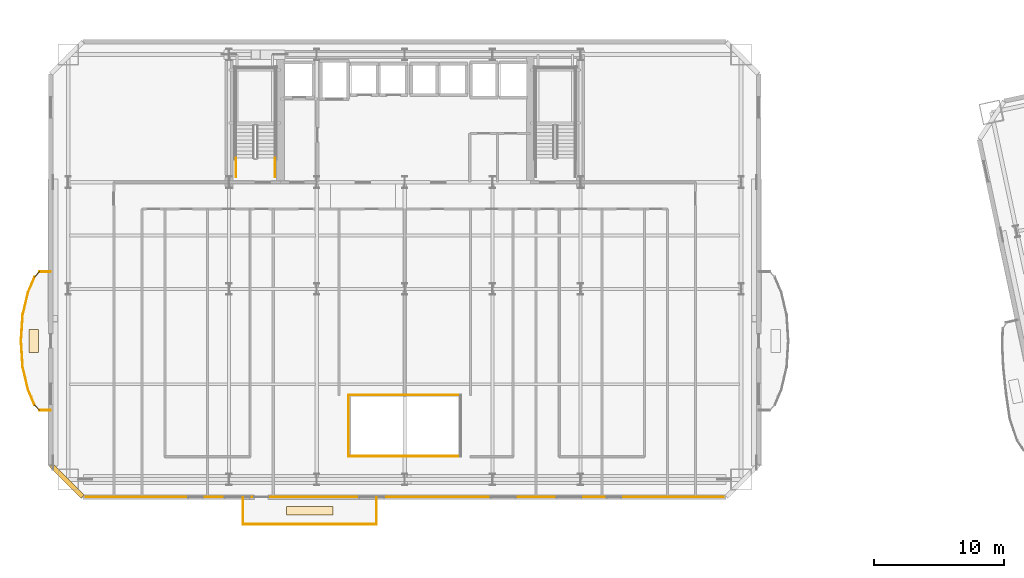
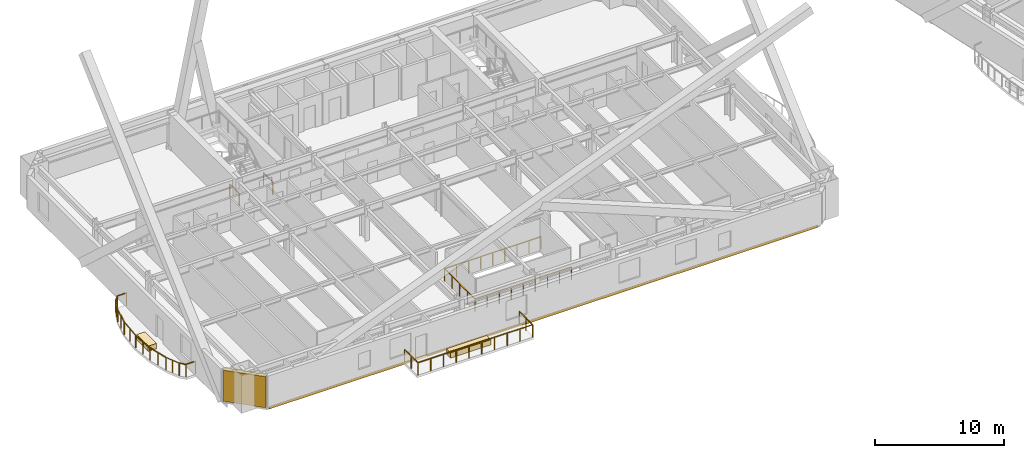
# One storey, part 13 of 20: 18 railings, 3 coverings, 1 shading device.
"""IFC4 building model written with IfcOpenShell, lengths in metres."""

import ifcopenshell
import ifcopenshell.guid

model = None  # the IFC model being written
_history = None  # IfcOwnerHistory: only IFC2X3 demands one
_inside = {}  # id of a spatial element -> (the spatial element, [elements in it])
_under = {}  # id of a project, library or spatial element -> (it, [spatial elements below it])
_declared = {}  # id of a project -> (the project, [libraries it declares])
_typed = {}  # id of a type object -> (the type object, [elements of that type])
_made_of = {}  # id of a material, layer set ... -> (it, [elements and type objects made of it])


def new_model(schema):
    """Start an empty IFC model of exactly this schema.

    Asked for "IFC4X3", IfcOpenShell would pick the latest addendum, in which some entities
    have other attributes; the version numbers below select the first issue.
    IFC2X3 requires an IfcOwnerHistory on every rooted entity: one is made here for all.
    """
    global model, _history
    if schema == "IFC4X3":
        model = ifcopenshell.file(schema_version=(4, 3, 0, 0))
    else:
        model = ifcopenshell.file(schema=schema)
    _inside.clear()
    _under.clear()
    _declared.clear()
    _typed.clear()
    _made_of.clear()
    _history = None
    if model.schema == "IFC2X3":
        org = make("IfcOrganization", Name="unknown")
        user = make(
            "IfcPersonAndOrganization",
            ThePerson=make("IfcPerson", FamilyName="unknown"),
            TheOrganization=org,
        )
        app = make(
            "IfcApplication",
            ApplicationDeveloper=org,
            Version="unknown",
            ApplicationFullName="unknown",
            ApplicationIdentifier="unknown",
        )
        _history = make(
            "IfcOwnerHistory",
            OwningUser=user,
            OwningApplication=app,
            ChangeAction="ADDED",
            CreationDate=0,
        )
    return model


def make(cls, **values):
    """One entity of the class cls with the attributes given. An attribute that is None is left unset."""
    return model.create_entity(
        cls, **{name: value for name, value in values.items() if value is not None}
    )


def rooted(cls, **values):
    """An entity with a GlobalId (a new one), such as an element, a storey or a relation."""
    return make(cls, GlobalId=ifcopenshell.guid.new(), OwnerHistory=_history, **values)


def si_unit(unit_type, name, prefix=None):
    """IfcSIUnit, for example si_unit("LENGTHUNIT", "METRE", prefix="MILLI")."""
    return make("IfcSIUnit", UnitType=unit_type, Prefix=prefix, Name=name)


def assignment(units):
    """IfcUnitAssignment: the units of a project."""
    return None if units is None else make("IfcUnitAssignment", Units=units)


def point(xyz):
    """IfcCartesianPoint."""
    return None if xyz is None else make("IfcCartesianPoint", Coordinates=xyz)


def direction(xyz):
    """IfcDirection."""
    return None if xyz is None else make("IfcDirection", DirectionRatios=xyz)


def frame(location, z_axis=None, x_axis=None):
    """IfcAxis2Placement3D, a coordinate frame: its origin and axes. An axis left out is left unset."""
    return make(
        "IfcAxis2Placement3D",
        Location=point(location),
        Axis=direction(z_axis),
        RefDirection=direction(x_axis),
    )


def frame_2d(location, x_axis=None):
    """IfcAxis2Placement2D, a coordinate frame in the plane: its origin and x axis."""
    return make(
        "IfcAxis2Placement2D", Location=point(location), RefDirection=direction(x_axis)
    )


def origin():
    """The frame at (0, 0, 0) with its axes left unset."""
    return frame((0.0, 0.0, 0.0))


def origin_2d():
    """The frame at (0, 0) in the plane with its x axis left unset."""
    return frame_2d((0.0, 0.0))


def place(relative_to, where):
    """IfcLocalPlacement: puts the frame where relative to a parent placement (None: the world)."""
    return make(
        "IfcLocalPlacement", PlacementRelTo=relative_to, RelativePlacement=where
    )


def context(
    kind, dimensions, precision=None, world=None, true_north=None, identifier=None
):
    """IfcGeometricRepresentationContext, for example the 3D "Model" context."""
    return make(
        "IfcGeometricRepresentationContext",
        ContextIdentifier=identifier,
        ContextType=kind,
        CoordinateSpaceDimension=dimensions,
        Precision=precision,
        WorldCoordinateSystem=world,
        TrueNorth=true_north,
    )


def subcontext(parent, identifier, kind, view, scale=None):
    """IfcGeometricRepresentationSubContext, for example "Body" below "Model"."""
    return make(
        "IfcGeometricRepresentationSubContext",
        ContextIdentifier=identifier,
        ContextType=kind,
        ParentContext=parent,
        TargetScale=scale,
        TargetView=view,
    )


def project(units=None, contexts=None):
    """IfcProject with its units and contexts."""
    return rooted(
        "IfcProject",
        Name="project",
        RepresentationContexts=contexts,
        UnitsInContext=assignment(units),
    )


def spatial(cls, under=None, at=None, **own):
    """A site, building, storey or space (cls), placed at a placement, below another one or the project."""
    s = rooted(cls, ObjectPlacement=at, **own)
    if under is not None:
        _under.setdefault(under.id(), (under, []))[1].append(s)
    return s


def profile(cls, at=None, kind="AREA", **sizes):
    """A parametric profile (cls). Its sizes go by their IFC names, for example OverallWidth=200.0."""
    return make(cls, ProfileType=kind, Position=at, **sizes)


def rectangle(**sizes):
    """IfcRectangleProfileDef."""
    return profile("IfcRectangleProfileDef", **sizes)


def extrude(swept, where, along, depth):
    """IfcExtrudedAreaSolid: the profile swept, set in the frame where, extruded along a direction by depth."""
    return make(
        "IfcExtrudedAreaSolid",
        SweptArea=swept,
        Position=where,
        ExtrudedDirection=direction(along),
        Depth=depth,
    )


def shape(context_of_items, identifier, shape_type, items):
    """IfcShapeRepresentation: the items that make up one representation, for example the "Body"."""
    return make(
        "IfcShapeRepresentation",
        ContextOfItems=context_of_items,
        RepresentationIdentifier=identifier,
        RepresentationType=shape_type,
        Items=items,
    )


def material(Name=None, Category=None):
    """IfcMaterial."""
    return make("IfcMaterial", Name=Name, Category=Category)


def layer(
    of_material, thickness, ventilated=None, Name=None, Category=None, Priority=None
):
    """IfcMaterialLayer: one layer of a wall or slab, of a material (None: an air gap)."""
    return make(
        "IfcMaterialLayer",
        Material=of_material,
        LayerThickness=thickness,
        IsVentilated=ventilated,
        Name=Name,
        Category=Category,
        Priority=Priority,
    )


def layer_set(layers, Name=None):
    """IfcMaterialLayerSet."""
    return make("IfcMaterialLayerSet", MaterialLayers=layers, LayerSetName=Name)


def made_of(thing, what):
    """Note that an element or type object is made of a material, layer set ...; save() writes the relation."""
    if what is not None:
        _made_of.setdefault(what.id(), (what, []))[1].append(thing)
    return thing


def type_object(cls, material=None, **own):
    """A type object (cls), such as IfcWallType, which elements share."""
    return made_of(rooted(cls, **own), material)


def element(
    cls,
    number,
    at=None,
    inside=None,
    cuts=None,
    type_object=None,
    material=None,
    context=None,
    identifier="Body",
    shape_type=None,
    held_by="IfcProductDefinitionShape",
    body=None,
    shapes=None,
    **own,
):
    """One element of the class cls, such as IfcWall. Its Tag is "e" and its number.

    at: its placement. inside: the storey or other place that contains it. cuts: it is an
    opening in that element (IfcRelVoidsElement). A single representation is given by context,
    identifier, shape_type and body (its items); several are given by shapes. held_by: the class
    of the entity that holds the representations. save() writes the other relations.
    """
    e = rooted(cls, Tag="e%d" % number, ObjectPlacement=at, **own)
    if body is not None:
        shapes = [shape(context, identifier, shape_type, body)]
    if shapes is not None:
        e.Representation = make(held_by, Representations=shapes)
    if inside is not None:
        _inside.setdefault(inside.id(), (inside, []))[1].append(e)
    if cuts is not None:
        rooted(
            "IfcRelVoidsElement", RelatingBuildingElement=cuts, RelatedOpeningElement=e
        )
    if type_object is not None:
        _typed.setdefault(type_object.id(), (type_object, []))[1].append(e)
    return made_of(e, material)


def aggregate(whole, parts):
    """IfcRelAggregates: a whole, such as a stair, and the parts it consists of."""
    return rooted("IfcRelAggregates", RelatingObject=whole, RelatedObjects=parts)


def save(model, path):
    """Write the relations noted so far, then the file.

    IfcRelAggregates (storeys below a building ...), IfcRelContainedInSpatialStructure (elements
    in a storey), IfcRelDefinesByType, IfcRelAssociatesMaterial and IfcRelDeclares: one each for
    every whole, place, type object, material and project.
    """
    for whole, parts in _under.values():
        aggregate(whole, parts)
    for where, things in _inside.values():
        rooted(
            "IfcRelContainedInSpatialStructure",
            RelatedElements=things,
            RelatingStructure=where,
        )
    for kind, things in _typed.values():
        rooted("IfcRelDefinesByType", RelatedObjects=things, RelatingType=kind)
    for what, things in _made_of.values():
        rooted("IfcRelAssociatesMaterial", RelatedObjects=things, RelatingMaterial=what)
    for by, libraries in _declared.values():
        rooted("IfcRelDeclares", RelatingContext=by, RelatedDefinitions=libraries)
    model.write(path)


model = new_model("IFC4")

# Units and contexts
model_context = context("Model", 3, precision=1e-05, world=origin(), true_north=direction((0.0, 1.0)))
body_context = subcontext(model_context, "Body", "Model", "MODEL_VIEW")
ifc_project = project(units=[si_unit("LENGTHUNIT", "METRE"), si_unit("AREAUNIT", "SQUARE_METRE"), si_unit("VOLUMEUNIT", "CUBIC_METRE"), si_unit("PLANEANGLEUNIT", "RADIAN"), si_unit("MASSUNIT", "GRAM", prefix="KILO")], contexts=[model_context])

# Site, building, storey
site_placement = place(None, origin())
site = spatial("IfcSite", under=ifc_project, at=site_placement, CompositionType="ELEMENT")
building_placement = place(site_placement, origin())
building = spatial("IfcBuilding", under=site, at=building_placement, Name="Haevon Station Towers", CompositionType="ELEMENT")
storey_placement = place(building_placement, frame((0.0, 0.0, 30.60009765625)))
storey = spatial("IfcBuildingStorey", under=building, at=storey_placement, Name="L06", CompositionType="ELEMENT", Elevation=30.60009765625)

# Railings
ifc_material_1 = material(Name="Steel S355", Category="steel")
railing_type_1 = type_object("IfcRailingType", Name="BAL-ATR1200", PredefinedType="BALUSTRADE", material=ifc_material_1)
railing_1_placement = place(storey_placement, frame((33.19482421875, 17.142333984375, 0.0)))
element("IfcRailing", 1, at=railing_1_placement, inside=storey, type_object=railing_type_1, Name="L06 Atrium Void Balustrade 1", PredefinedType="BALUSTRADE", context=body_context, shape_type="SweptSolid", body=[
    extrude(rectangle(XDim=0.048095703125, YDim=0.048095703125, at=origin_2d()), frame((0.0, 0.0, 1.17578125), z_axis=(1.0, 0.0, 0.0), x_axis=(0.0, 1.0, 0.0)), (0.0, 0.0, 1.0), 8.6103515625),
    extrude(rectangle(XDim=0.0419921875, YDim=0.0419921875, at=origin_2d()), origin(), (0.0, 0.0, 1.0), 1.15185546875),
    extrude(rectangle(XDim=0.0419921875, YDim=0.0419921875, at=origin_2d()), frame((1.076171875, 0.0, 0.0)), (0.0, 0.0, 1.0), 1.15185546875),
    extrude(rectangle(XDim=0.0419921875, YDim=0.0419921875, at=origin_2d()), frame((2.152587890625, 0.0, 0.0)), (0.0, 0.0, 1.0), 1.15185546875),
    extrude(rectangle(XDim=0.0419921875, YDim=0.0419921875, at=origin_2d()), frame((3.22900390625, 0.0, 0.0)), (0.0, 0.0, 1.0), 1.15185546875),
    extrude(rectangle(XDim=0.0419921875, YDim=0.0419921875, at=origin_2d()), frame((4.30517578125, 0.0, 0.0)), (0.0, 0.0, 1.0), 1.15185546875),
    extrude(rectangle(XDim=0.0419921875, YDim=0.0419921875, at=origin_2d()), frame((5.38134765625, 0.0, 0.0)), (0.0, 0.0, 1.0), 1.15185546875),
    extrude(rectangle(XDim=0.0419921875, YDim=0.0419921875, at=origin_2d()), frame((6.457763671875, 0.0, 0.0)), (0.0, 0.0, 1.0), 1.15185546875),
    extrude(rectangle(XDim=0.0419921875, YDim=0.0419921875, at=origin_2d()), frame((7.5341796875, 0.0, 0.0)), (0.0, 0.0, 1.0), 1.15185546875),
    extrude(rectangle(XDim=0.0419921875, YDim=0.0419921875, at=origin_2d()), frame((8.6103515625, 0.0, 0.0)), (0.0, 0.0, 1.0), 1.15185546875),
])
railing_2_placement = place(storey_placement, frame((41.80517578125, 21.857666015625, 0.0)))
element("IfcRailing", 2, at=railing_2_placement, inside=storey, type_object=railing_type_1, Name="L06 Atrium Void Balustrade 3", PredefinedType="BALUSTRADE", context=body_context, shape_type="SweptSolid", body=[
    extrude(rectangle(XDim=0.048095703125, YDim=0.048095703125, at=origin_2d()), frame((0.0, 0.0, 1.17578125), z_axis=(-1.0, 0.0, 0.0), x_axis=(0.0, -1.0, 0.0)), (0.0, 0.0, 1.0), 8.6103515625),
    extrude(rectangle(XDim=0.0419921875, YDim=0.0419921875, at=origin_2d()), origin(), (0.0, 0.0, 1.0), 1.15185546875),
    extrude(rectangle(XDim=0.0419921875, YDim=0.0419921875, at=origin_2d()), frame((-1.076171875, 0.0, 0.0)), (0.0, 0.0, 1.0), 1.15185546875),
    extrude(rectangle(XDim=0.0419921875, YDim=0.0419921875, at=origin_2d()), frame((-2.152587890625, 0.0, 0.0)), (0.0, 0.0, 1.0), 1.15185546875),
    extrude(rectangle(XDim=0.0419921875, YDim=0.0419921875, at=origin_2d()), frame((-3.22900390625, 0.0, 0.0)), (0.0, 0.0, 1.0), 1.15185546875),
    extrude(rectangle(XDim=0.0419921875, YDim=0.0419921875, at=origin_2d()), frame((-4.30517578125, 0.0, 0.0)), (0.0, 0.0, 1.0), 1.15185546875),
    extrude(rectangle(XDim=0.0419921875, YDim=0.0419921875, at=origin_2d()), frame((-5.38134765625, 0.0, 0.0)), (0.0, 0.0, 1.0), 1.15185546875),
    extrude(rectangle(XDim=0.0419921875, YDim=0.0419921875, at=origin_2d()), frame((-6.457763671875, 0.0, 0.0)), (0.0, 0.0, 1.0), 1.15185546875),
    extrude(rectangle(XDim=0.0419921875, YDim=0.0419921875, at=origin_2d()), frame((-7.5341796875, 0.0, 0.0)), (0.0, 0.0, 1.0), 1.15185546875),
    extrude(rectangle(XDim=0.0419921875, YDim=0.0419921875, at=origin_2d()), frame((-8.6103515625, 0.0, 0.0)), (0.0, 0.0, 1.0), 1.15185546875),
])
railing_3_placement = place(storey_placement, frame((33.19482421875, 21.857666015625, 0.0)))
element("IfcRailing", 3, at=railing_3_placement, inside=storey, type_object=railing_type_1, Name="L06 Atrium Void Balustrade 4", PredefinedType="BALUSTRADE", context=body_context, shape_type="SweptSolid", body=[
    extrude(rectangle(XDim=0.048095703125, YDim=0.048095703125, at=origin_2d()), frame((0.0, 0.0, 1.17578125), z_axis=(0.0, -1.0, 0.0), x_axis=(1.0, 0.0, 0.0)), (0.0, 0.0, 1.0), 4.71533203125),
    extrude(rectangle(XDim=0.0419921875, YDim=0.0419921875, at=origin_2d()), origin(), (0.0, 0.0, 1.0), 1.15185546875),
    extrude(rectangle(XDim=0.0419921875, YDim=0.0419921875, at=origin_2d()), frame((0.0, -1.1787109375, 0.0)), (0.0, 0.0, 1.0), 1.15185546875),
    extrude(rectangle(XDim=0.0419921875, YDim=0.0419921875, at=origin_2d()), frame((0.0, -2.357666015625, 0.0)), (0.0, 0.0, 1.0), 1.15185546875),
    extrude(rectangle(XDim=0.0419921875, YDim=0.0419921875, at=origin_2d()), frame((0.0, -3.53662109375, 0.0)), (0.0, 0.0, 1.0), 1.15185546875),
    extrude(rectangle(XDim=0.0419921875, YDim=0.0419921875, at=origin_2d()), frame((0.0, -4.71533203125, 0.0)), (0.0, 0.0, 1.0), 1.15185546875),
])

# Covering
ifc_material_2 = material(Name="Anodised aluminium 6063-T6", Category="aluminium")
ifc_layer_1 = layer(ifc_material_2, 0.0400390625)
ifc_layer_set_1 = layer_set([ifc_layer_1], Name="Anodised aluminium 6063-T6")
covering_type_1 = type_object("IfcCoveringType", Name="COV-CLAD40", PredefinedType="CLADDING", material=ifc_layer_set_1)
covering_1_placement = place(storey_placement, frame((37.5, 14.0, -0.240234375), z_axis=(0.0, 0.0, 1.0), x_axis=(1.0, 0.0, 0.0)))
element("IfcCovering", 4, at=covering_1_placement, inside=storey, type_object=covering_type_1, Name="Tower 1 L06 Spandrel Fascia Cladding", PredefinedType="CLADDING", context=body_context, shape_type="SweptSolid", body=[
    extrude(rectangle(XDim=49.0, YDim=0.0400390625, at=origin_2d()), origin(), (0.0, 0.0, 1.0), 0.239990234375),
])

# Railings
railing_type_2 = type_object("IfcRailingType", Name="GRD-EXT1200", PredefinedType="GUARDRAIL", material=ifc_material_1)
railing_4_placement = place(storey_placement, frame((10.276123046875, 31.322265625, 0.0)))
element("IfcRailing", 5, at=railing_4_placement, inside=storey, type_object=railing_type_2, Name="L06 Perimeter Guardrail 1", PredefinedType="GUARDRAIL", context=body_context, shape_type="SweptSolid", body=[
    extrude(rectangle(XDim=0.048095703125, YDim=0.048095703125, at=origin_2d()), frame((0.0, 0.0, 1.17578125), z_axis=(-0.999997283225, -0.002330995998, 0.0), x_axis=(0.002330995998, -0.999997283225, 0.0)), (0.0, 0.0, 1.0), 0.837890625),
    extrude(rectangle(XDim=0.0419921875, YDim=0.0419921875, at=origin_2d()), origin(), (0.0, 0.0, 1.0), 1.15185546875),
    extrude(rectangle(XDim=0.0419921875, YDim=0.0419921875, at=origin_2d()), frame((-0.837890625, -0.001953125, 0.0)), (0.0, 0.0, 1.0), 1.15185546875),
])
railing_5_placement = place(storey_placement, frame((9.438232421875, 31.3203125, 0.0)))
element("IfcRailing", 6, at=railing_5_placement, inside=storey, type_object=railing_type_2, Name="L06 Perimeter Guardrail 2", PredefinedType="GUARDRAIL", context=body_context, shape_type="SweptSolid", body=[
    extrude(rectangle(XDim=0.048095703125, YDim=0.048095703125, at=origin_2d()), frame((0.0, 0.0, 1.17578125), z_axis=(-0.676061194254, -0.736845480154, 0.0), x_axis=(0.736845480154, -0.676061194254, 0.0)), (0.0, 0.0, 1.0), 0.558349609375),
    extrude(rectangle(XDim=0.0419921875, YDim=0.0419921875, at=origin_2d()), origin(), (0.0, 0.0, 1.0), 1.15185546875),
    extrude(rectangle(XDim=0.0419921875, YDim=0.0419921875, at=origin_2d()), frame((-0.37744140625, -0.411376953125, 0.0)), (0.0, 0.0, 1.0), 1.15185546875),
])
railing_6_placement = place(storey_placement, frame((9.060791015625, 30.908935546875, 0.0)))
element("IfcRailing", 7, at=railing_6_placement, inside=storey, type_object=railing_type_2, Name="L06 Perimeter Guardrail 3", PredefinedType="GUARDRAIL", context=body_context, shape_type="SweptSolid", body=[
    extrude(rectangle(XDim=0.048095703125, YDim=0.048095703125, at=origin_2d()), frame((0.0, 0.0, 1.17578125), z_axis=(-0.39299272826, -0.919541579014, 0.0), x_axis=(0.919541579014, -0.39299272826, 0.0)), (0.0, 0.0, 1.0), 1.272216796875),
    extrude(rectangle(XDim=0.0419921875, YDim=0.0419921875, at=origin_2d()), origin(), (0.0, 0.0, 1.0), 1.15185546875),
    extrude(rectangle(XDim=0.0419921875, YDim=0.0419921875, at=origin_2d()), frame((-0.25, -0.5849609375, 0.0)), (0.0, 0.0, 1.0), 1.15185546875),
    extrude(rectangle(XDim=0.0419921875, YDim=0.0419921875, at=origin_2d()), frame((-0.5, -1.169921875, 0.0)), (0.0, 0.0, 1.0), 1.15185546875),
])
railing_7_placement = place(storey_placement, frame((8.560791015625, 29.739013671875, 0.0)))
element("IfcRailing", 8, at=railing_7_placement, inside=storey, type_object=railing_type_2, Name="L06 Perimeter Guardrail 4", PredefinedType="GUARDRAIL", context=body_context, shape_type="SweptSolid", body=[
    extrude(rectangle(XDim=0.048095703125, YDim=0.048095703125, at=origin_2d()), frame((0.0, 0.0, 1.17578125), z_axis=(-0.230320614681, -0.973114800244, 0.0), x_axis=(0.973114800244, -0.230320614681, 0.0)), (0.0, 0.0, 1.0), 1.794677734375),
    extrude(rectangle(XDim=0.0419921875, YDim=0.0419921875, at=origin_2d()), origin(), (0.0, 0.0, 1.0), 1.15185546875),
    extrude(rectangle(XDim=0.0419921875, YDim=0.0419921875, at=origin_2d()), frame((-0.20654296875, -0.873046875, 0.0)), (0.0, 0.0, 1.0), 1.15185546875),
    extrude(rectangle(XDim=0.0419921875, YDim=0.0419921875, at=origin_2d()), frame((-0.413330078125, -1.746337890625, 0.0)), (0.0, 0.0, 1.0), 1.15185546875),
])
railing_8_placement = place(storey_placement, frame((8.1474609375, 27.99267578125, 0.0)))
element("IfcRailing", 9, at=railing_8_placement, inside=storey, type_object=railing_type_2, Name="L06 Perimeter Guardrail 5", PredefinedType="GUARDRAIL", context=body_context, shape_type="SweptSolid", body=[
    extrude(rectangle(XDim=0.048095703125, YDim=0.048095703125, at=origin_2d()), frame((0.0, 0.0, 1.17578125), z_axis=(-0.063215626586, -0.997999892062, 0.0), x_axis=(0.997999892062, -0.063215626586, 0.0)), (0.0, 0.0, 1.0), 1.99658203125),
    extrude(rectangle(XDim=0.0419921875, YDim=0.0419921875, at=origin_2d()), origin(), (0.0, 0.0, 1.0), 1.15185546875),
    extrude(rectangle(XDim=0.0419921875, YDim=0.0419921875, at=origin_2d()), frame((-0.06298828125, -0.996337890625, 0.0)), (0.0, 0.0, 1.0), 1.15185546875),
    extrude(rectangle(XDim=0.0419921875, YDim=0.0419921875, at=origin_2d()), frame((-0.126220703125, -1.99267578125, 0.0)), (0.0, 0.0, 1.0), 1.15185546875),
])
railing_9_placement = place(storey_placement, frame((8.021240234375, 26.0, 0.0)))
element("IfcRailing", 10, at=railing_9_placement, inside=storey, type_object=railing_type_2, Name="L06 Perimeter Guardrail 6", PredefinedType="GUARDRAIL", context=body_context, shape_type="SweptSolid", body=[
    extrude(rectangle(XDim=0.048095703125, YDim=0.048095703125, at=origin_2d()), frame((0.0, 0.0, 1.17578125), z_axis=(0.063215626586, -0.997999892062, 0.0), x_axis=(0.997999892062, 0.063215626586, 0.0)), (0.0, 0.0, 1.0), 1.99658203125),
    extrude(rectangle(XDim=0.0419921875, YDim=0.0419921875, at=origin_2d()), origin(), (0.0, 0.0, 1.0), 1.15185546875),
    extrude(rectangle(XDim=0.0419921875, YDim=0.0419921875, at=origin_2d()), frame((0.06298828125, -0.996337890625, 0.0)), (0.0, 0.0, 1.0), 1.15185546875),
    extrude(rectangle(XDim=0.0419921875, YDim=0.0419921875, at=origin_2d()), frame((0.126220703125, -1.99267578125, 0.0)), (0.0, 0.0, 1.0), 1.15185546875),
])
railing_10_placement = place(storey_placement, frame((8.1474609375, 24.00732421875, 0.0)))
element("IfcRailing", 11, at=railing_10_placement, inside=storey, type_object=railing_type_2, Name="L06 Perimeter Guardrail 7", PredefinedType="GUARDRAIL", context=body_context, shape_type="SweptSolid", body=[
    extrude(rectangle(XDim=0.048095703125, YDim=0.048095703125, at=origin_2d()), frame((0.0, 0.0, 1.17578125), z_axis=(0.230320614681, -0.973114800244, 0.0), x_axis=(0.973114800244, 0.230320614681, 0.0)), (0.0, 0.0, 1.0), 1.794677734375),
    extrude(rectangle(XDim=0.0419921875, YDim=0.0419921875, at=origin_2d()), origin(), (0.0, 0.0, 1.0), 1.15185546875),
    extrude(rectangle(XDim=0.0419921875, YDim=0.0419921875, at=origin_2d()), frame((0.20654296875, -0.873046875, 0.0)), (0.0, 0.0, 1.0), 1.15185546875),
    extrude(rectangle(XDim=0.0419921875, YDim=0.0419921875, at=origin_2d()), frame((0.413330078125, -1.746337890625, 0.0)), (0.0, 0.0, 1.0), 1.15185546875),
])
railing_11_placement = place(storey_placement, frame((8.560791015625, 22.260986328125, 0.0)))
element("IfcRailing", 12, at=railing_11_placement, inside=storey, type_object=railing_type_2, Name="L06 Perimeter Guardrail 8", PredefinedType="GUARDRAIL", context=body_context, shape_type="SweptSolid", body=[
    extrude(rectangle(XDim=0.048095703125, YDim=0.048095703125, at=origin_2d()), frame((0.0, 0.0, 1.17578125), z_axis=(0.39299272826, -0.919541579014, 0.0), x_axis=(0.919541579014, 0.39299272826, 0.0)), (0.0, 0.0, 1.0), 1.272216796875),
    extrude(rectangle(XDim=0.0419921875, YDim=0.0419921875, at=origin_2d()), origin(), (0.0, 0.0, 1.0), 1.15185546875),
    extrude(rectangle(XDim=0.0419921875, YDim=0.0419921875, at=origin_2d()), frame((0.25, -0.5849609375, 0.0)), (0.0, 0.0, 1.0), 1.15185546875),
    extrude(rectangle(XDim=0.0419921875, YDim=0.0419921875, at=origin_2d()), frame((0.5, -1.169921875, 0.0)), (0.0, 0.0, 1.0), 1.15185546875),
])
railing_12_placement = place(storey_placement, frame((9.060791015625, 21.091064453125, 0.0)))
element("IfcRailing", 13, at=railing_12_placement, inside=storey, type_object=railing_type_2, Name="L06 Perimeter Guardrail 9", PredefinedType="GUARDRAIL", context=body_context, shape_type="SweptSolid", body=[
    extrude(rectangle(XDim=0.048095703125, YDim=0.048095703125, at=origin_2d()), frame((0.0, 0.0, 1.17578125), z_axis=(0.676061194254, -0.736845480154, 0.0), x_axis=(0.736845480154, 0.676061194254, 0.0)), (0.0, 0.0, 1.0), 0.558349609375),
    extrude(rectangle(XDim=0.0419921875, YDim=0.0419921875, at=origin_2d()), origin(), (0.0, 0.0, 1.0), 1.15185546875),
    extrude(rectangle(XDim=0.0419921875, YDim=0.0419921875, at=origin_2d()), frame((0.37744140625, -0.411376953125, 0.0)), (0.0, 0.0, 1.0), 1.15185546875),
])
railing_13_placement = place(storey_placement, frame((9.438232421875, 20.6796875, 0.0)))
element("IfcRailing", 14, at=railing_13_placement, inside=storey, type_object=railing_type_2, Name="L06 Perimeter Guardrail 10", PredefinedType="GUARDRAIL", context=body_context, shape_type="SweptSolid", body=[
    extrude(rectangle(XDim=0.048095703125, YDim=0.048095703125, at=origin_2d()), frame((0.0, 0.0, 1.17578125), z_axis=(0.999997283225, -0.002330995998, 0.0), x_axis=(0.002330995998, 0.999997283225, 0.0)), (0.0, 0.0, 1.0), 0.837890625),
    extrude(rectangle(XDim=0.0419921875, YDim=0.0419921875, at=origin_2d()), origin(), (0.0, 0.0, 1.0), 1.15185546875),
    extrude(rectangle(XDim=0.0419921875, YDim=0.0419921875, at=origin_2d()), frame((0.837890625, -0.001953125, 0.0)), (0.0, 0.0, 1.0), 1.15185546875),
])
railing_14_placement = place(storey_placement, frame((25.078369140625, 11.915771484375, 0.0)))
element("IfcRailing", 15, at=railing_14_placement, inside=storey, type_object=railing_type_2, Name="L06 Perimeter Guardrail 1", PredefinedType="GUARDRAIL", context=body_context, shape_type="SweptSolid", body=[
    extrude(rectangle(XDim=0.048095703125, YDim=0.048095703125, at=origin_2d()), frame((0.0, 0.0, 1.17578125), z_axis=(1.0, 0.0, 0.0), x_axis=(0.0, 1.0, 0.0)), (0.0, 0.0, 1.0), 10.2431640625),
    extrude(rectangle(XDim=0.0419921875, YDim=0.0419921875, at=origin_2d()), origin(), (0.0, 0.0, 1.0), 1.15185546875),
    extrude(rectangle(XDim=0.0419921875, YDim=0.0419921875, at=origin_2d()), frame((1.13818359375, 0.0, 0.0)), (0.0, 0.0, 1.0), 1.15185546875),
    extrude(rectangle(XDim=0.0419921875, YDim=0.0419921875, at=origin_2d()), frame((2.2763671875, 0.0, 0.0)), (0.0, 0.0, 1.0), 1.15185546875),
    extrude(rectangle(XDim=0.0419921875, YDim=0.0419921875, at=origin_2d()), frame((3.414306640625, 0.0, 0.0)), (0.0, 0.0, 1.0), 1.15185546875),
    extrude(rectangle(XDim=0.0419921875, YDim=0.0419921875, at=origin_2d()), frame((4.552490234375, 0.0, 0.0)), (0.0, 0.0, 1.0), 1.15185546875),
    extrude(rectangle(XDim=0.0419921875, YDim=0.0419921875, at=origin_2d()), frame((5.690673828125, 0.0, 0.0)), (0.0, 0.0, 1.0), 1.15185546875),
    extrude(rectangle(XDim=0.0419921875, YDim=0.0419921875, at=origin_2d()), frame((6.828857421875, 0.0, 0.0)), (0.0, 0.0, 1.0), 1.15185546875),
    extrude(rectangle(XDim=0.0419921875, YDim=0.0419921875, at=origin_2d()), frame((7.966796875, 0.0, 0.0)), (0.0, 0.0, 1.0), 1.15185546875),
    extrude(rectangle(XDim=0.0419921875, YDim=0.0419921875, at=origin_2d()), frame((9.10498046875, 0.0, 0.0)), (0.0, 0.0, 1.0), 1.15185546875),
    extrude(rectangle(XDim=0.0419921875, YDim=0.0419921875, at=origin_2d()), frame((10.2431640625, 0.0, 0.0)), (0.0, 0.0, 1.0), 1.15185546875),
])
railing_15_placement = place(storey_placement, frame((35.321533203125, 11.915771484375, 0.0)))
element("IfcRailing", 16, at=railing_15_placement, inside=storey, type_object=railing_type_2, Name="L06 Perimeter Guardrail 2", PredefinedType="GUARDRAIL", context=body_context, shape_type="SweptSolid", body=[
    extrude(rectangle(XDim=0.048095703125, YDim=0.048095703125, at=origin_2d()), frame((0.0, 0.0, 1.17578125), z_axis=(0.0, 1.0, 0.0), x_axis=(-1.0, 0.0, 0.0)), (0.0, 0.0, 1.0), 2.0634765625),
    extrude(rectangle(XDim=0.0419921875, YDim=0.0419921875, at=origin_2d()), origin(), (0.0, 0.0, 1.0), 1.15185546875),
    extrude(rectangle(XDim=0.0419921875, YDim=0.0419921875, at=origin_2d()), frame((0.0, 1.03173828125, 0.0)), (0.0, 0.0, 1.0), 1.15185546875),
    extrude(rectangle(XDim=0.0419921875, YDim=0.0419921875, at=origin_2d()), frame((0.0, 2.0634765625, 0.0)), (0.0, 0.0, 1.0), 1.15185546875),
])
railing_16_placement = place(storey_placement, frame((25.078369140625, 13.979248046875, 0.0)))
element("IfcRailing", 17, at=railing_16_placement, inside=storey, type_object=railing_type_2, Name="L06 Perimeter Guardrail 3", PredefinedType="GUARDRAIL", context=body_context, shape_type="SweptSolid", body=[
    extrude(rectangle(XDim=0.048095703125, YDim=0.048095703125, at=origin_2d()), frame((0.0, 0.0, 1.17578125), z_axis=(0.0, -1.0, 0.0), x_axis=(1.0, 0.0, 0.0)), (0.0, 0.0, 1.0), 2.0634765625),
    extrude(rectangle(XDim=0.0419921875, YDim=0.0419921875, at=origin_2d()), origin(), (0.0, 0.0, 1.0), 1.15185546875),
    extrude(rectangle(XDim=0.0419921875, YDim=0.0419921875, at=origin_2d()), frame((0.0, -1.03173828125, 0.0)), (0.0, 0.0, 1.0), 1.15185546875),
    extrude(rectangle(XDim=0.0419921875, YDim=0.0419921875, at=origin_2d()), frame((0.0, -2.0634765625, 0.0)), (0.0, 0.0, 1.0), 1.15185546875),
])
railing_type_3 = type_object("IfcRailingType", Name="GRD-STR1200", PredefinedType="GUARDRAIL", material=ifc_material_1)
for number, where, name in (
    (18, (27.530029296875, 38.60009765625, 0.0), "L06 ST1 Stair Guard 8"),
    (19, (24.530029296875, 38.60009765625, 0.0), "L06 ST1 Stair Guard 9"),
):
    element("IfcRailing", number, at=place(storey_placement, frame(where)), inside=storey, type_object=railing_type_3, Name=name, PredefinedType="GUARDRAIL", context=body_context, shape_type="SweptSolid", body=[
        extrude(rectangle(XDim=0.048095703125, YDim=0.048095703125, at=origin_2d()), frame((0.0, 0.0, 1.17578125), z_axis=(0.0, 1.0, 0.0), x_axis=(-1.0, 0.0, 0.0)), (0.0, 0.0, 1.0), 1.449951171875),
        extrude(rectangle(XDim=0.0419921875, YDim=0.0419921875, at=origin_2d()), origin(), (0.0, 0.0, 1.0), 1.15185546875),
        extrude(rectangle(XDim=0.0419921875, YDim=0.0419921875, at=origin_2d()), frame((0.0, 1.449951171875, 0.0)), (0.0, 0.0, 1.0), 1.15185546875),
    ])

# Coverings
ifc_material_3 = material(Name="Architectural planter GRC", Category="concrete")
ifc_layer_2 = layer(ifc_material_3, 0.550048828125)
ifc_layer_set_2 = layer_set([ifc_layer_2], Name="Architectural planter GRC")
covering_type_2 = type_object("IfcCoveringType", Name="PLN-GRC550", PredefinedType="MOLDING", material=ifc_layer_set_2)
covering_2_placement = place(storey_placement, frame((8.9892578125, 26.0, 0.0), z_axis=(0.0, 0.0, 1.0), x_axis=(1.0, 0.0, 0.0)))
element("IfcCovering", 20, at=covering_2_placement, inside=storey, type_object=covering_type_2, Name="Tower 1 L06 Scalloped Balcony PLANTER", PredefinedType="MOLDING", context=body_context, shape_type="SweptSolid", body=[
    extrude(rectangle(XDim=0.75, YDim=1.800048828125, at=origin_2d()), origin(), (0.0, 0.0, 1.0), 0.5),
])
covering_3_placement = place(storey_placement, frame((30.199951171875, 12.947509765625, 0.0), z_axis=(0.0, 0.0, 1.0), x_axis=(1.0, 0.0, 0.0)))
element("IfcCovering", 21, at=covering_3_placement, inside=storey, type_object=covering_type_2, Name="Tower 1 L06 Facade Trough PLANTER", PredefinedType="MOLDING", context=body_context, shape_type="SweptSolid", body=[
    extrude(rectangle(XDim=3.60009765625, YDim=0.64990234375, at=origin_2d()), origin(), (0.0, 0.0, 1.0), 0.5),
])

# Shading device
ifc_layer_3 = layer(ifc_material_2, 0.139892578125)
ifc_layer_set_3 = layer_set([ifc_layer_3], Name="Anodised aluminium 6063-T6")
shading_device_type = type_object("IfcShadingDeviceType", Name="SHD-WIND-BAFFLE", PredefinedType="SHUTTER", material=ifc_layer_set_3)
shading_device_placement = place(storey_placement, frame((11.550048828125, 15.25, 0.0498046875), z_axis=(0.0, 0.0, 1.0), x_axis=(-0.707106781187, 0.707106781187, 0.0)))
element("IfcShadingDevice", 22, at=shading_device_placement, inside=storey, type_object=shading_device_type, Name="Tower 1 L06 Wind-Corner Aerofoil Baffle SWC", PredefinedType="SHUTTER", context=body_context, shape_type="SweptSolid", body=[
    extrude(rectangle(XDim=3.435546875, YDim=0.340087890625, at=origin_2d()), origin(), (0.0, 0.0, 1.0), 2.929931640625),
])

save(model, "model.ifc")
